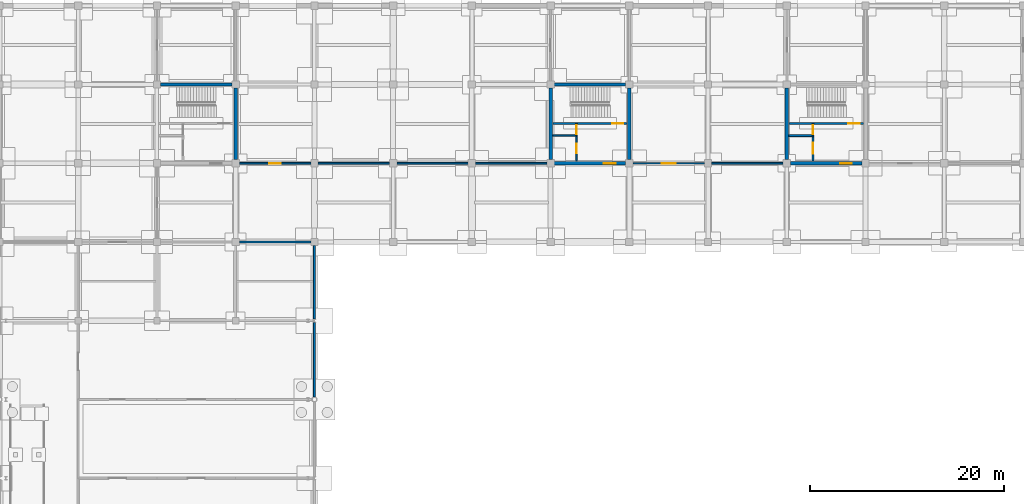
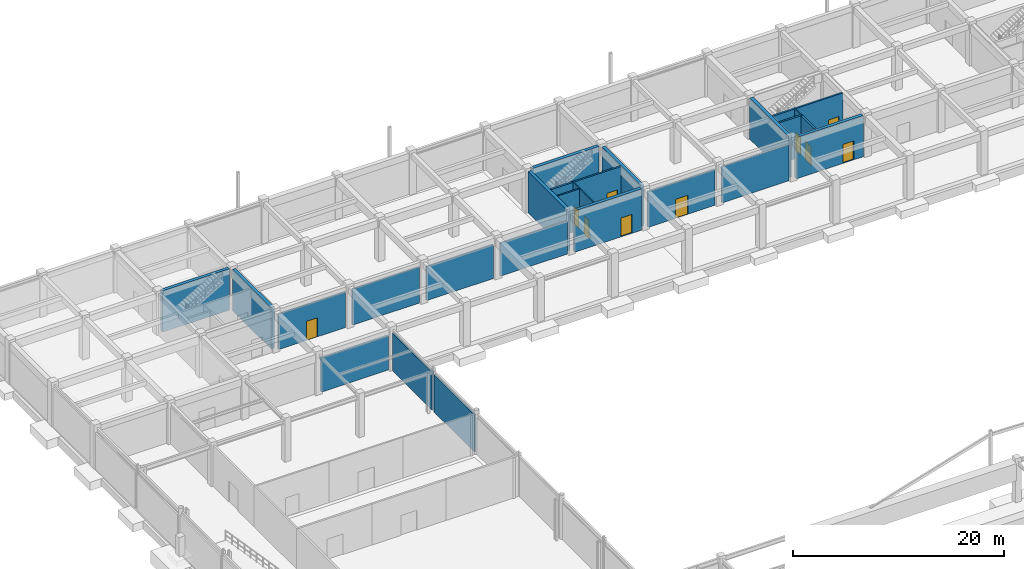
# One storey, part 49 of 67: 25 walls, 10 doors, 10 openings.
"""IFC4 building model written with IfcOpenShell, lengths in metres."""

import ifcopenshell
import ifcopenshell.guid

model = None  # the IFC model being written
_history = None  # IfcOwnerHistory: only IFC2X3 demands one
_inside = {}  # id of a spatial element -> (the spatial element, [elements in it])
_under = {}  # id of a project, library or spatial element -> (it, [spatial elements below it])
_declared = {}  # id of a project -> (the project, [libraries it declares])
_typed = {}  # id of a type object -> (the type object, [elements of that type])
_made_of = {}  # id of a material, layer set ... -> (it, [elements and type objects made of it])


def new_model(schema):
    """Start an empty IFC model of exactly this schema.

    Asked for "IFC4X3", IfcOpenShell would pick the latest addendum, in which some entities
    have other attributes; the version numbers below select the first issue.
    IFC2X3 requires an IfcOwnerHistory on every rooted entity: one is made here for all.
    """
    global model, _history
    if schema == "IFC4X3":
        model = ifcopenshell.file(schema_version=(4, 3, 0, 0))
    else:
        model = ifcopenshell.file(schema=schema)
    _inside.clear()
    _under.clear()
    _declared.clear()
    _typed.clear()
    _made_of.clear()
    _history = None
    if model.schema == "IFC2X3":
        org = make("IfcOrganization", Name="unknown")
        user = make(
            "IfcPersonAndOrganization",
            ThePerson=make("IfcPerson", FamilyName="unknown"),
            TheOrganization=org,
        )
        app = make(
            "IfcApplication",
            ApplicationDeveloper=org,
            Version="unknown",
            ApplicationFullName="unknown",
            ApplicationIdentifier="unknown",
        )
        _history = make(
            "IfcOwnerHistory",
            OwningUser=user,
            OwningApplication=app,
            ChangeAction="ADDED",
            CreationDate=0,
        )
    return model


def make(cls, **values):
    """One entity of the class cls with the attributes given. An attribute that is None is left unset."""
    return model.create_entity(
        cls, **{name: value for name, value in values.items() if value is not None}
    )


def rooted(cls, **values):
    """An entity with a GlobalId (a new one), such as an element, a storey or a relation."""
    return make(cls, GlobalId=ifcopenshell.guid.new(), OwnerHistory=_history, **values)


def si_unit(unit_type, name, prefix=None):
    """IfcSIUnit, for example si_unit("LENGTHUNIT", "METRE", prefix="MILLI")."""
    return make("IfcSIUnit", UnitType=unit_type, Prefix=prefix, Name=name)


def assignment(units):
    """IfcUnitAssignment: the units of a project."""
    return None if units is None else make("IfcUnitAssignment", Units=units)


def point(xyz):
    """IfcCartesianPoint."""
    return None if xyz is None else make("IfcCartesianPoint", Coordinates=xyz)


def direction(xyz):
    """IfcDirection."""
    return None if xyz is None else make("IfcDirection", DirectionRatios=xyz)


def frame(location, z_axis=None, x_axis=None):
    """IfcAxis2Placement3D, a coordinate frame: its origin and axes. An axis left out is left unset."""
    return make(
        "IfcAxis2Placement3D",
        Location=point(location),
        Axis=direction(z_axis),
        RefDirection=direction(x_axis),
    )


def frame_2d(location, x_axis=None):
    """IfcAxis2Placement2D, a coordinate frame in the plane: its origin and x axis."""
    return make(
        "IfcAxis2Placement2D", Location=point(location), RefDirection=direction(x_axis)
    )


def origin():
    """The frame at (0, 0, 0) with its axes left unset."""
    return frame((0.0, 0.0, 0.0))


def place(relative_to, where):
    """IfcLocalPlacement: puts the frame where relative to a parent placement (None: the world)."""
    return make(
        "IfcLocalPlacement", PlacementRelTo=relative_to, RelativePlacement=where
    )


def context(
    kind, dimensions, precision=None, world=None, true_north=None, identifier=None
):
    """IfcGeometricRepresentationContext, for example the 3D "Model" context."""
    return make(
        "IfcGeometricRepresentationContext",
        ContextIdentifier=identifier,
        ContextType=kind,
        CoordinateSpaceDimension=dimensions,
        Precision=precision,
        WorldCoordinateSystem=world,
        TrueNorth=true_north,
    )


def subcontext(parent, identifier, kind, view, scale=None):
    """IfcGeometricRepresentationSubContext, for example "Body" below "Model"."""
    return make(
        "IfcGeometricRepresentationSubContext",
        ContextIdentifier=identifier,
        ContextType=kind,
        ParentContext=parent,
        TargetScale=scale,
        TargetView=view,
    )


def project(units=None, contexts=None):
    """IfcProject with its units and contexts."""
    return rooted(
        "IfcProject",
        Name="project",
        RepresentationContexts=contexts,
        UnitsInContext=assignment(units),
    )


def spatial(cls, under=None, at=None, **own):
    """A site, building, storey or space (cls), placed at a placement, below another one or the project."""
    s = rooted(cls, ObjectPlacement=at, **own)
    if under is not None:
        _under.setdefault(under.id(), (under, []))[1].append(s)
    return s


def profile(cls, at=None, kind="AREA", **sizes):
    """A parametric profile (cls). Its sizes go by their IFC names, for example OverallWidth=200.0."""
    return make(cls, ProfileType=kind, Position=at, **sizes)


def rectangle(**sizes):
    """IfcRectangleProfileDef."""
    return profile("IfcRectangleProfileDef", **sizes)


def extrude(swept, where, along, depth):
    """IfcExtrudedAreaSolid: the profile swept, set in the frame where, extruded along a direction by depth."""
    return make(
        "IfcExtrudedAreaSolid",
        SweptArea=swept,
        Position=where,
        ExtrudedDirection=direction(along),
        Depth=depth,
    )


def shape(context_of_items, identifier, shape_type, items):
    """IfcShapeRepresentation: the items that make up one representation, for example the "Body"."""
    return make(
        "IfcShapeRepresentation",
        ContextOfItems=context_of_items,
        RepresentationIdentifier=identifier,
        RepresentationType=shape_type,
        Items=items,
    )


def material(Name=None, Category=None):
    """IfcMaterial."""
    return make("IfcMaterial", Name=Name, Category=Category)


def layer(
    of_material, thickness, ventilated=None, Name=None, Category=None, Priority=None
):
    """IfcMaterialLayer: one layer of a wall or slab, of a material (None: an air gap)."""
    return make(
        "IfcMaterialLayer",
        Material=of_material,
        LayerThickness=thickness,
        IsVentilated=ventilated,
        Name=Name,
        Category=Category,
        Priority=Priority,
    )


def layer_set(layers, Name=None):
    """IfcMaterialLayerSet."""
    return make("IfcMaterialLayerSet", MaterialLayers=layers, LayerSetName=Name)


def made_of(thing, what):
    """Note that an element or type object is made of a material, layer set ...; save() writes the relation."""
    if what is not None:
        _made_of.setdefault(what.id(), (what, []))[1].append(thing)
    return thing


def type_object(cls, material=None, **own):
    """A type object (cls), such as IfcWallType, which elements share."""
    return made_of(rooted(cls, **own), material)


def element(
    cls,
    number,
    at=None,
    inside=None,
    cuts=None,
    type_object=None,
    material=None,
    context=None,
    identifier="Body",
    shape_type=None,
    held_by="IfcProductDefinitionShape",
    body=None,
    shapes=None,
    **own,
):
    """One element of the class cls, such as IfcWall. Its Tag is "e" and its number.

    at: its placement. inside: the storey or other place that contains it. cuts: it is an
    opening in that element (IfcRelVoidsElement). A single representation is given by context,
    identifier, shape_type and body (its items); several are given by shapes. held_by: the class
    of the entity that holds the representations. save() writes the other relations.
    """
    e = rooted(cls, Tag="e%d" % number, ObjectPlacement=at, **own)
    if body is not None:
        shapes = [shape(context, identifier, shape_type, body)]
    if shapes is not None:
        e.Representation = make(held_by, Representations=shapes)
    if inside is not None:
        _inside.setdefault(inside.id(), (inside, []))[1].append(e)
    if cuts is not None:
        rooted(
            "IfcRelVoidsElement", RelatingBuildingElement=cuts, RelatedOpeningElement=e
        )
    if type_object is not None:
        _typed.setdefault(type_object.id(), (type_object, []))[1].append(e)
    return made_of(e, material)


def fill(opening, filler):
    """IfcRelFillsElement: the door or window that sits in an opening."""
    return rooted(
        "IfcRelFillsElement",
        RelatingOpeningElement=opening,
        RelatedBuildingElement=filler,
    )


def aggregate(whole, parts):
    """IfcRelAggregates: a whole, such as a stair, and the parts it consists of."""
    return rooted("IfcRelAggregates", RelatingObject=whole, RelatedObjects=parts)


def save(model, path):
    """Write the relations noted so far, then the file.

    IfcRelAggregates (storeys below a building ...), IfcRelContainedInSpatialStructure (elements
    in a storey), IfcRelDefinesByType, IfcRelAssociatesMaterial and IfcRelDeclares: one each for
    every whole, place, type object, material and project.
    """
    for whole, parts in _under.values():
        aggregate(whole, parts)
    for where, things in _inside.values():
        rooted(
            "IfcRelContainedInSpatialStructure",
            RelatedElements=things,
            RelatingStructure=where,
        )
    for kind, things in _typed.values():
        rooted("IfcRelDefinesByType", RelatedObjects=things, RelatingType=kind)
    for what, things in _made_of.values():
        rooted("IfcRelAssociatesMaterial", RelatedObjects=things, RelatingMaterial=what)
    for by, libraries in _declared.values():
        rooted("IfcRelDeclares", RelatingContext=by, RelatedDefinitions=libraries)
    model.write(path)


model = new_model("IFC4")

# Units and contexts
model_context = context("Model", 3, precision=1e-05, world=origin(), true_north=direction((0.0, 1.0)))
body_context = subcontext(model_context, "Body", "Model", "MODEL_VIEW")
ifc_project = project(units=[si_unit("LENGTHUNIT", "METRE"), si_unit("AREAUNIT", "SQUARE_METRE"), si_unit("VOLUMEUNIT", "CUBIC_METRE"), si_unit("PLANEANGLEUNIT", "RADIAN"), si_unit("MASSUNIT", "GRAM", prefix="KILO")], contexts=[model_context])

# Site, building, storey
site_placement = place(None, origin())
site = spatial("IfcSite", under=ifc_project, at=site_placement, CompositionType="ELEMENT")
building_placement = place(site_placement, origin())
building = spatial("IfcBuilding", under=site, at=building_placement, Name="Vaudrelin Polytechnic", CompositionType="ELEMENT")
storey_placement = place(building_placement, frame((0.0, 0.0, -5.10009765625)))
storey = spatial("IfcBuildingStorey", under=building, at=storey_placement, Name="B1", CompositionType="ELEMENT", Elevation=-5.10009765625)

# Walls
ifc_material_1 = material(Name="Concrete masonry unit 20 MPa shaft & corridor fire wall", Category="masonry")
ifc_layer_1 = layer(ifc_material_1, 0.199951171875)
ifc_layer_set_1 = layer_set([ifc_layer_1], Name="Concrete masonry unit 20 MPa shaft & corridor fire wall")
wall_type_1 = type_object("IfcWallType", Name="WAL-PW-FIRE120", PredefinedType="PARTITIONING", material=ifc_layer_set_1)
wall_1_placement = place(storey_placement, frame((24.673095703125, 97.199951171875, 0.0), z_axis=(0.0, 0.0, 1.0), x_axis=(1.0, 0.0, 0.0)))
element("IfcWall", 1, at=wall_1_placement, inside=storey, type_object=wall_type_1, Name="Partition B1-008 N", PredefinedType="PARTITIONING", context=body_context, shape_type="SweptSolid", body=[
    extrude(rectangle(XDim=7.35400390625, YDim=0.199951171875, at=frame_2d((3.677001953125, 0.0))), origin(), (0.0, 0.0, 1.0), 3.97216796875),
])
wall_2_placement = place(storey_placement, frame((32.39990234375, 81.251953125, 0.0), z_axis=(0.0, 0.0, 1.0), x_axis=(0.0, 1.0, 0.0)))
element("IfcWall", 2, at=wall_2_placement, inside=storey, type_object=wall_type_1, Name="Partition B1-008 E", PredefinedType="PARTITIONING", context=body_context, shape_type="SweptSolid", body=[
    extrude(rectangle(XDim=7.673583984375, YDim=0.199951171875, at=frame_2d((3.8369140625, 0.0))), origin(), (0.0, 0.0, 1.0), 4.31201171875),
])
wall_3_placement = place(storey_placement, frame((32.39990234375, 89.2744140625, 0.0), z_axis=(0.0, 0.0, 1.0), x_axis=(0.0, 1.0, 0.0)))
element("IfcWall", 3, at=wall_3_placement, inside=storey, type_object=wall_type_1, Name="Partition B1-008 E", PredefinedType="PARTITIONING", context=body_context, shape_type="SweptSolid", body=[
    extrude(rectangle(XDim=7.552490234375, YDim=0.199951171875, at=frame_2d((3.7763671875, 0.0))), origin(), (0.0, 0.0, 1.0), 4.364013671875),
])

# Wall, opening, door
wall_4_placement = place(storey_placement, frame((65.173095703125, 105.300048828125, 0.0), z_axis=(0.0, 0.0, 1.0), x_axis=(1.0, 0.0, 0.0)))
wall_4 = element("IfcWall", 4, at=wall_4_placement, inside=storey, type_object=wall_type_1, Name="Partition B1-013 S", PredefinedType="PARTITIONING", context=body_context, shape_type="SweptSolid", body=[
    extrude(rectangle(XDim=7.35400390625, YDim=0.199951171875, at=frame_2d((3.677001953125, 0.0))), origin(), (0.0, 0.0, 1.0), 4.132080078125),
])
opening_1_placement = place(wall_4_placement, frame((2.97705078125, 0.0, 0.0)))
opening_1 = element("IfcOpeningElement", 5, at=opening_1_placement, cuts=wall_4, Name="Opening D-B1-400", PredefinedType="OPENING", context=body_context, shape_type="SweptSolid", body=[
    extrude(rectangle(XDim=1.39990234375, YDim=2.199951171875, at=frame_2d((0.699951171875, 1.10009765625))), frame((0.0, 0.10986328125, 0.0), z_axis=(0.0, -1.0, 0.0), x_axis=(1.0, 0.0, 0.0)), (0.0, 0.0, 1.0), 0.219970703125),
])
ifc_material_2 = material(Name="Pressed galvanised steel acoustic leaf", Category="steel")
door_type_1 = type_object("IfcDoorType", Name="DOR-ID-PLT1", OperationType="NOTDEFINED", PredefinedType="DOOR", material=ifc_material_2)
door_1_placement = place(opening_1_placement, origin())
door_1 = element("IfcDoor", 6, at=door_1_placement, inside=storey, type_object=door_type_1, Name="District Heating and Chilled Water Plant door B1-013", OperationType="DOUBLE_SWING_LEFT", OverallHeight=2.199951171875, OverallWidth=1.39990234375, PredefinedType="DOOR", context=body_context, shape_type="SweptSolid", body=[
    extrude(rectangle(XDim=1.39990234375, YDim=2.199951171875, at=frame_2d((0.699951171875, 1.10009765625))), frame((0.0, 0.02490234375, 0.0), z_axis=(0.0, -1.0, 0.0), x_axis=(1.0, 0.0, 0.0)), (0.0, 0.0, 1.0), 0.050048828125),
])
fill(opening_1, door_1)

# Wall
wall_5_placement = place(storey_placement, frame((73.27294921875, 105.300048828125, 0.0), z_axis=(0.0, 0.0, 1.0), x_axis=(1.0, 0.0, 0.0)))
element("IfcWall", 7, at=wall_5_placement, inside=storey, type_object=wall_type_1, Name="Partition B1-013 S", PredefinedType="PARTITIONING", context=body_context, shape_type="SweptSolid", body=[
    extrude(rectangle(XDim=7.35400390625, YDim=0.199951171875, at=frame_2d((3.677001953125, 0.0))), origin(), (0.0, 0.0, 1.0), 4.18212890625),
])

# Wall, opening, door
ifc_material_3 = material(Name="Fire-rated steel-stud gypsum compartment wall", Category="steel")
ifc_layer_2 = layer(ifc_material_3, 0.14990234375)
ifc_layer_set_2 = layer_set([ifc_layer_2], Name="Fire-rated steel-stud gypsum compartment wall")
wall_type_2 = type_object("IfcWallType", Name="WAL-PW-FIRE60", PredefinedType="PARTITIONING", material=ifc_layer_set_2)
wall_6_placement = place(storey_placement, frame((83.679931640625, 108.14990234375, 0.0), z_axis=(0.0, 0.0, 1.0), x_axis=(0.0, 1.0, 0.0)))
wall_6 = element("IfcWall", 8, at=wall_6_placement, inside=storey, type_object=wall_type_2, Name="Core C2 riser enclosure wall B1", PredefinedType="PARTITIONING", context=body_context, shape_type="SweptSolid", body=[
    extrude(rectangle(XDim=1.260009765625, YDim=0.14990234375, at=frame_2d((0.6298828125, 0.0))), origin(), (0.0, 0.0, 1.0), 4.781982421875),
])
opening_2_placement = place(wall_6_placement, frame((0.139892578125, 0.0, 0.0)))
opening_2 = element("IfcOpeningElement", 9, at=opening_2_placement, cuts=wall_6, Name="Opening D-B1-025", PredefinedType="OPENING", context=body_context, shape_type="SweptSolid", body=[
    extrude(rectangle(XDim=0.89990234375, YDim=2.14990234375, at=frame_2d((0.449951171875, 1.074951171875))), frame((0.0, 0.0849609375, 0.0), z_axis=(0.0, -1.0, 0.0), x_axis=(1.0, 0.0, 0.0)), (0.0, 0.0, 1.0), 0.169921875),
])
door_type_2 = type_object("IfcDoorType", Name="DOR-ID-RSR1", OperationType="NOTDEFINED", PredefinedType="DOOR", material=ifc_material_2)
door_2_placement = place(opening_2_placement, origin())
door_2 = element("IfcDoor", 10, at=door_2_placement, inside=storey, type_object=door_type_2, Name="Core C2 riser access door B1", OperationType="SINGLE_SWING_RIGHT", OverallHeight=2.14990234375, OverallWidth=0.89990234375, PredefinedType="DOOR", context=body_context, shape_type="SweptSolid", body=[
    extrude(rectangle(XDim=0.89990234375, YDim=2.14990234375, at=frame_2d((0.449951171875, 1.074951171875))), frame((0.0, 0.02490234375, 0.0), z_axis=(0.0, -1.0, 0.0), x_axis=(1.0, 0.0, 0.0)), (0.0, 0.0, 1.0), 0.050048828125),
])
fill(opening_2, door_2)

wall_7_placement = place(storey_placement, frame((59.3798828125, 108.14990234375, 0.0), z_axis=(0.0, 0.0, 1.0), x_axis=(0.0, 1.0, 0.0)))
wall_7 = element("IfcWall", 11, at=wall_7_placement, inside=storey, type_object=wall_type_2, Name="Core C9 riser enclosure wall B1", PredefinedType="PARTITIONING", context=body_context, shape_type="SweptSolid", body=[
    extrude(rectangle(XDim=1.260009765625, YDim=0.14990234375, at=frame_2d((0.6298828125, 0.0))), origin(), (0.0, 0.0, 1.0), 4.781982421875),
])
opening_3_placement = place(wall_7_placement, frame((0.139892578125, 0.0, 0.0)))
opening_3 = element("IfcOpeningElement", 12, at=opening_3_placement, cuts=wall_7, Name="Opening D-B1-176", PredefinedType="OPENING", context=body_context, shape_type="SweptSolid", body=[
    extrude(rectangle(XDim=0.89990234375, YDim=2.14990234375, at=frame_2d((0.449951171875, 1.074951171875))), frame((0.0, 0.0849609375, 0.0), z_axis=(0.0, -1.0, 0.0), x_axis=(1.0, 0.0, 0.0)), (0.0, 0.0, 1.0), 0.169921875),
])
door_3_placement = place(opening_3_placement, origin())
door_3 = element("IfcDoor", 13, at=door_3_placement, inside=storey, type_object=door_type_2, Name="Core C9 riser access door B1", OperationType="SINGLE_SWING_RIGHT", OverallHeight=2.14990234375, OverallWidth=0.89990234375, PredefinedType="DOOR", context=body_context, shape_type="SweptSolid", body=[
    extrude(rectangle(XDim=0.89990234375, YDim=2.14990234375, at=frame_2d((0.449951171875, 1.074951171875))), frame((0.0, 0.02490234375, 0.0), z_axis=(0.0, -1.0, 0.0), x_axis=(1.0, 0.0, 0.0)), (0.0, 0.0, 1.0), 0.050048828125),
])
fill(opening_3, door_3)

# Wall
wall_8_placement = place(storey_placement, frame((56.919921875, 108.14990234375, 0.0), z_axis=(0.0, 0.0, 1.0), x_axis=(1.0, 0.0, 0.0)))
element("IfcWall", 14, at=wall_8_placement, inside=storey, type_object=wall_type_2, Name="Core C9 riser south fire wall B1", PredefinedType="PARTITIONING", context=body_context, shape_type="SweptSolid", body=[
    extrude(rectangle(XDim=2.530029296875, YDim=0.14990234375, at=frame_2d((1.26513671875, 0.0))), origin(), (0.0, 0.0, 1.0), 4.781982421875),
])

# Wall, opening, door
wall_9_placement = place(storey_placement, frame((59.3798828125, 105.550048828125, 0.0), z_axis=(0.0, 0.0, 1.0), x_axis=(0.0, 1.0, 0.0)))
wall_9 = element("IfcWall", 15, at=wall_9_placement, inside=storey, type_object=wall_type_2, Name="Core C9 custodial enclosure wall B1", PredefinedType="PARTITIONING", context=body_context, shape_type="SweptSolid", body=[
    extrude(rectangle(XDim=2.599853515625, YDim=0.14990234375, at=frame_2d((1.2998046875, 0.0))), origin(), (0.0, 0.0, 1.0), 4.781982421875),
])
opening_4_placement = place(wall_9_placement, frame((0.800048828125, 0.0, 0.0)))
opening_4 = element("IfcOpeningElement", 16, at=opening_4_placement, cuts=wall_9, Name="Opening D-B1-177", PredefinedType="OPENING", context=body_context, shape_type="SweptSolid", body=[
    extrude(rectangle(XDim=0.949951171875, YDim=2.14990234375, at=frame_2d((0.47509765625, 1.074951171875))), frame((0.0, 0.0849609375, 0.0), z_axis=(0.0, -1.0, 0.0), x_axis=(1.0, 0.0, 0.0)), (0.0, 0.0, 1.0), 0.169921875),
])
door_type_3 = type_object("IfcDoorType", Name="DOR-ID-STR1", OperationType="NOTDEFINED", PredefinedType="DOOR", material=ifc_material_2)
door_4_placement = place(opening_4_placement, origin())
door_4 = element("IfcDoor", 17, at=door_4_placement, inside=storey, type_object=door_type_3, Name="Core C9 custodial door B1", OperationType="SINGLE_SWING_RIGHT", OverallHeight=2.14990234375, OverallWidth=0.949951171875, PredefinedType="DOOR", context=body_context, shape_type="SweptSolid", body=[
    extrude(rectangle(XDim=0.949951171875, YDim=2.14990234375, at=frame_2d((0.47509765625, 1.074951171875))), frame((0.0, 0.02490234375, 0.0), z_axis=(0.0, -1.0, 0.0), x_axis=(1.0, 0.0, 0.0)), (0.0, 0.0, 1.0), 0.050048828125),
])
fill(opening_4, door_4)

ifc_material_4 = material(Name="Moisture- and chemical-resistant laboratory partition", Category="gypsum")
ifc_layer_3 = layer(ifc_material_4, 0.159912109375)
ifc_layer_set_3 = layer_set([ifc_layer_3], Name="Moisture- and chemical-resistant laboratory partition")
wall_type_3 = type_object("IfcWallType", Name="WAL-PW-LAB160", PredefinedType="PARTITIONING", material=ifc_layer_set_3)
wall_10_placement = place(storey_placement, frame((24.673095703125, 105.300048828125, 0.0), z_axis=(0.0, 0.0, 1.0), x_axis=(1.0, 0.0, 0.0)))
wall_10 = element("IfcWall", 18, at=wall_10_placement, inside=storey, type_object=wall_type_3, Name="Partition B1-011 S", PredefinedType="PARTITIONING", context=body_context, shape_type="SweptSolid", body=[
    extrude(rectangle(XDim=7.35400390625, YDim=0.159912109375, at=frame_2d((3.677001953125, 0.0))), origin(), (0.0, 0.0, 1.0), 4.132080078125),
])
opening_5_placement = place(wall_10_placement, frame((3.076904296875, 0.0, 0.0)))
opening_5 = element("IfcOpeningElement", 19, at=opening_5_placement, cuts=wall_10, Name="Opening D-B1-399", PredefinedType="OPENING", context=body_context, shape_type="SweptSolid", body=[
    extrude(rectangle(XDim=1.199951171875, YDim=2.199951171875, at=frame_2d((0.60009765625, 1.10009765625))), frame((0.0, 0.08984375, 0.0), z_axis=(0.0, -1.0, 0.0), x_axis=(1.0, 0.0, 0.0)), (0.0, 0.0, 1.0), 0.179931640625),
])
door_type_4 = type_object("IfcDoorType", Name="DOR-ID-LAB2", OperationType="NOTDEFINED", PredefinedType="DOOR", material=ifc_material_2)
door_5_placement = place(opening_5_placement, origin())
door_5 = element("IfcDoor", 20, at=door_5_placement, inside=storey, type_object=door_type_4, Name="Metrology and Vibration-Isolated Laboratory door B1-011", OperationType="SINGLE_SWING_LEFT", OverallHeight=2.199951171875, OverallWidth=1.199951171875, PredefinedType="DOOR", context=body_context, shape_type="SweptSolid", body=[
    extrude(rectangle(XDim=1.199951171875, YDim=2.199951171875, at=frame_2d((0.60009765625, 1.10009765625))), frame((0.0, 0.02490234375, 0.0), z_axis=(0.0, -1.0, 0.0), x_axis=(1.0, 0.0, 0.0)), (0.0, 0.0, 1.0), 0.050048828125),
])
fill(opening_5, door_5)

# Walls
wall_11_placement = place(storey_placement, frame((32.77294921875, 105.300048828125, 0.0), z_axis=(0.0, 0.0, 1.0), x_axis=(1.0, 0.0, 0.0)))
element("IfcWall", 21, at=wall_11_placement, inside=storey, type_object=wall_type_3, Name="Partition B1-011 S", PredefinedType="PARTITIONING", context=body_context, shape_type="SweptSolid", body=[
    extrude(rectangle(XDim=7.35400390625, YDim=0.159912109375, at=frame_2d((3.677001953125, 0.0))), origin(), (0.0, 0.0, 1.0), 4.18212890625),
])
wall_12_placement = place(storey_placement, frame((40.873046875, 105.300048828125, 0.0), z_axis=(0.0, 0.0, 1.0), x_axis=(1.0, 0.0, 0.0)))
element("IfcWall", 22, at=wall_12_placement, inside=storey, type_object=wall_type_3, Name="Partition B1-011 S", PredefinedType="PARTITIONING", context=body_context, shape_type="SweptSolid", body=[
    extrude(rectangle(XDim=7.35400390625, YDim=0.159912109375, at=frame_2d((3.677001953125, 0.0))), origin(), (0.0, 0.0, 1.0), 3.93212890625),
])
wall_13_placement = place(storey_placement, frame((48.972900390625, 105.300048828125, 0.0), z_axis=(0.0, 0.0, 1.0), x_axis=(1.0, 0.0, 0.0)))
element("IfcWall", 23, at=wall_13_placement, inside=storey, type_object=wall_type_3, Name="Partition B1-011 S", PredefinedType="PARTITIONING", context=body_context, shape_type="SweptSolid", body=[
    extrude(rectangle(XDim=7.35400390625, YDim=0.159912109375, at=frame_2d((3.677001953125, 0.0))), origin(), (0.0, 0.0, 1.0), 3.83203125),
])

# Wall, opening, door
ifc_material_5 = material(Name="Concrete 40 MPa", Category="concrete")
ifc_layer_4 = layer(ifc_material_5, 0.199951171875)
ifc_layer_set_4 = layer_set([ifc_layer_4], Name="Concrete 40 MPa")
wall_type_4 = type_object("IfcWallType", Name="WAL-SW-CORE200", PredefinedType="SHEAR", material=ifc_layer_set_4)
wall_14_placement = place(storey_placement, frame((81.219970703125, 109.409912109375, 0.0), z_axis=(0.0, 0.0, 1.0), x_axis=(1.0, 0.0, 0.0)))
wall_14 = element("IfcWall", 24, at=wall_14_placement, inside=storey, type_object=wall_type_4, Name="Core C2 stair enclosure wall B1", PredefinedType="SHEAR", context=body_context, shape_type="SweptSolid", body=[
    extrude(rectangle(XDim=7.659912109375, YDim=0.199951171875, at=frame_2d((3.830078125, 0.0))), origin(), (0.0, 0.0, 1.0), 4.781982421875),
])
opening_6_placement = place(wall_14_placement, frame((6.110107421875, 0.0, 0.0)))
opening_6 = element("IfcOpeningElement", 25, at=opening_6_placement, cuts=wall_14, Name="Opening D-B1-024", PredefinedType="OPENING", context=body_context, shape_type="SweptSolid", body=[
    extrude(rectangle(XDim=1.14990234375, YDim=2.199951171875, at=frame_2d((0.574951171875, 1.10009765625))), frame((0.0, 0.10986328125, 0.0), z_axis=(0.0, -1.0, 0.0), x_axis=(1.0, 0.0, 0.0)), (0.0, 0.0, 1.0), 0.219970703125),
])
door_type_5 = type_object("IfcDoorType", Name="DOR-ID-ST1", OperationType="NOTDEFINED", PredefinedType="DOOR", material=ifc_material_2)
door_6_placement = place(opening_6_placement, origin())
door_6 = element("IfcDoor", 26, at=door_6_placement, inside=storey, type_object=door_type_5, Name="Core C2 exit stair door B1", OperationType="SINGLE_SWING_LEFT", OverallHeight=2.199951171875, OverallWidth=1.14990234375, PredefinedType="DOOR", context=body_context, shape_type="SweptSolid", body=[
    extrude(rectangle(XDim=1.14990234375, YDim=2.199951171875, at=frame_2d((0.574951171875, 1.10009765625))), frame((0.0, 0.02490234375, 0.0), z_axis=(0.0, -1.0, 0.0), x_axis=(1.0, 0.0, 0.0)), (0.0, 0.0, 1.0), 0.050048828125),
])
fill(opening_6, door_6)

wall_15_placement = place(storey_placement, frame((83.679931640625, 105.550048828125, 0.0), z_axis=(0.0, 0.0, 1.0), x_axis=(0.0, 1.0, 0.0)))
wall_15 = element("IfcWall", 27, at=wall_15_placement, inside=storey, type_object=wall_type_4, Name="Lift LF-02 shaft front wall B1", PredefinedType="SHEAR", context=body_context, shape_type="SweptSolid", body=[
    extrude(rectangle(XDim=2.599853515625, YDim=0.199951171875, at=frame_2d((1.2998046875, 0.0))), origin(), (0.0, 0.0, 1.0), 4.781982421875),
])
opening_7_placement = place(wall_15_placement, frame((0.75, 0.0, 0.0)))
opening_7 = element("IfcOpeningElement", 28, at=opening_7_placement, cuts=wall_15, Name="Opening LD-LF-02-B1", PredefinedType="OPENING", context=body_context, shape_type="SweptSolid", body=[
    extrude(rectangle(XDim=1.10009765625, YDim=2.199951171875, at=frame_2d((0.550048828125, 1.10009765625))), frame((0.0, 0.10986328125, 0.0), z_axis=(0.0, -1.0, 0.0), x_axis=(1.0, 0.0, 0.0)), (0.0, 0.0, 1.0), 0.219970703125),
])
ifc_material_6 = material(Name="Brushed stainless steel AISI 304", Category="steel")
door_type_6 = type_object("IfcDoorType", Name="DOR-LD-PAX", OperationType="SLIDING_TO_LEFT", PredefinedType="DOOR", material=ifc_material_6)
door_7_placement = place(opening_7_placement, origin())
door_7 = element("IfcDoor", 29, at=door_7_placement, inside=storey, type_object=door_type_6, Name="Lift LF-02 landing door B1", OperationType="SLIDING_TO_LEFT", OverallHeight=2.199951171875, OverallWidth=1.10009765625, PredefinedType="DOOR", context=body_context, shape_type="SweptSolid", body=[
    extrude(rectangle(XDim=1.10009765625, YDim=2.199951171875, at=frame_2d((0.550048828125, 1.10009765625))), frame((0.0, 0.02490234375, 0.0), z_axis=(0.0, -1.0, 0.0), x_axis=(1.0, 0.0, 0.0)), (0.0, 0.0, 1.0), 0.050048828125),
])
fill(opening_7, door_7)

# Wall
wall_16_placement = place(storey_placement, frame((81.219970703125, 108.14990234375, 0.0), z_axis=(0.0, 0.0, 1.0), x_axis=(1.0, 0.0, 0.0)))
element("IfcWall", 30, at=wall_16_placement, inside=storey, type_object=wall_type_4, Name="Lift LF-02 shaft north wall B1", PredefinedType="SHEAR", context=body_context, shape_type="SweptSolid", body=[
    extrude(rectangle(XDim=2.56005859375, YDim=0.199951171875, at=frame_2d((1.280029296875, 0.0))), origin(), (0.0, 0.0, 1.0), 4.781982421875),
])

# Wall, opening, door
wall_17_placement = place(storey_placement, frame((56.919921875, 109.409912109375, 0.0), z_axis=(0.0, 0.0, 1.0), x_axis=(1.0, 0.0, 0.0)))
wall_17 = element("IfcWall", 31, at=wall_17_placement, inside=storey, type_object=wall_type_4, Name="Core C9 stair enclosure wall B1", PredefinedType="SHEAR", context=body_context, shape_type="SweptSolid", body=[
    extrude(rectangle(XDim=7.66015625, YDim=0.199951171875, at=frame_2d((3.830078125, 0.0))), origin(), (0.0, 0.0, 1.0), 4.781982421875),
])
opening_8_placement = place(wall_17_placement, frame((6.110107421875, 0.0, 0.0)))
opening_8 = element("IfcOpeningElement", 32, at=opening_8_placement, cuts=wall_17, Name="Opening D-B1-175", PredefinedType="OPENING", context=body_context, shape_type="SweptSolid", body=[
    extrude(rectangle(XDim=1.14990234375, YDim=2.199951171875, at=frame_2d((0.574951171875, 1.10009765625))), frame((0.0, 0.10986328125, 0.0), z_axis=(0.0, -1.0, 0.0), x_axis=(1.0, 0.0, 0.0)), (0.0, 0.0, 1.0), 0.219970703125),
])
door_8_placement = place(opening_8_placement, origin())
door_8 = element("IfcDoor", 33, at=door_8_placement, inside=storey, type_object=door_type_5, Name="Core C9 exit stair door B1", OperationType="SINGLE_SWING_LEFT", OverallHeight=2.199951171875, OverallWidth=1.14990234375, PredefinedType="DOOR", context=body_context, shape_type="SweptSolid", body=[
    extrude(rectangle(XDim=1.14990234375, YDim=2.199951171875, at=frame_2d((0.574951171875, 1.10009765625))), frame((0.0, 0.02490234375, 0.0), z_axis=(0.0, -1.0, 0.0), x_axis=(1.0, 0.0, 0.0)), (0.0, 0.0, 1.0), 0.050048828125),
])
fill(opening_8, door_8)

# Walls
ifc_material_7 = material(Name="Concrete 50 MPa", Category="concrete")
ifc_layer_5 = layer(ifc_material_7, 0.35009765625)
ifc_layer_set_5 = layer_set([ifc_layer_5], Name="Concrete 50 MPa")
wall_type_5 = type_object("IfcWallType", Name="WAL-SW-CORE350", PredefinedType="SHEAR", material=ifc_layer_set_5)
for number, where, z_axis, x_axis, name in (
    (34, (16.572998046875, 113.39990234375, 0.0), (0.0, 0.0, 1.0), (1.0, 0.0, 0.0), "Core C1 N shear wall B1"),
    (35, (24.300048828125, 105.673095703125, 0.0), (0.0, 0.0, 1.0), (0.0, 1.0, 0.0), "Core C1 E shear wall B1"),
    (36, (81.0, 105.673095703125, 0.0), (0.0, 0.0, 1.0), (0.0, 1.0, 0.0), "Core C2 W shear wall B1"),
):
    element("IfcWall", number, at=place(storey_placement, frame(where, z_axis=z_axis, x_axis=x_axis)), inside=storey, type_object=wall_type_5, Name=name, PredefinedType="SHEAR", context=body_context, shape_type="SweptSolid", body=[
        extrude(rectangle(XDim=7.35400390625, YDim=0.35009765625, at=frame_2d((3.677001953125, 0.0))), origin(), (0.0, 0.0, 1.0), 4.781982421875),
    ])

# Wall, opening, door
wall_18_placement = place(storey_placement, frame((81.373046875, 105.300048828125, 0.0), z_axis=(0.0, 0.0, 1.0), x_axis=(1.0, 0.0, 0.0)))
wall_18 = element("IfcWall", 37, at=wall_18_placement, inside=storey, type_object=wall_type_5, Name="Core C2 S shear wall B1", PredefinedType="SHEAR", context=body_context, shape_type="SweptSolid", body=[
    extrude(rectangle(XDim=7.35400390625, YDim=0.35009765625, at=frame_2d((3.677001953125, 0.0))), origin(), (0.0, 0.0, 1.0), 4.781982421875),
])
opening_9_placement = place(wall_18_placement, frame((5.10400390625, 0.0, 0.0)))
opening_9 = element("IfcOpeningElement", 38, at=opening_9_placement, cuts=wall_18, Name="Opening D-B1-023", PredefinedType="OPENING", context=body_context, shape_type="SweptSolid", body=[
    extrude(rectangle(XDim=1.199951171875, YDim=2.199951171875, at=frame_2d((0.60009765625, 1.10009765625))), frame((0.0, 0.18505859375, 0.0), z_axis=(0.0, -1.0, 0.0), x_axis=(1.0, 0.0, 0.0)), (0.0, 0.0, 1.0), 0.3701171875),
])
door_type_7 = type_object("IfcDoorType", Name="DOR-ID-LB1", OperationType="NOTDEFINED", PredefinedType="DOOR", material=ifc_material_2)
door_9_placement = place(opening_9_placement, origin())
door_9 = element("IfcDoor", 39, at=door_9_placement, inside=storey, type_object=door_type_7, Name="Core C2 lobby fire door B1", OperationType="SINGLE_SWING_LEFT", OverallHeight=2.199951171875, OverallWidth=1.199951171875, PredefinedType="DOOR", context=body_context, shape_type="SweptSolid", body=[
    extrude(rectangle(XDim=1.199951171875, YDim=2.199951171875, at=frame_2d((0.60009765625, 1.10009765625))), frame((0.0, 0.02490234375, 0.0), z_axis=(0.0, -1.0, 0.0), x_axis=(1.0, 0.0, 0.0)), (0.0, 0.0, 1.0), 0.050048828125),
])
fill(opening_9, door_9)

# Walls
for number, where, z_axis, x_axis, name in (
    (40, (57.072998046875, 113.39990234375, 0.0), (0.0, 0.0, 1.0), (1.0, 0.0, 0.0), "Core C9 N shear wall B1"),
    (41, (56.699951171875, 105.673095703125, 0.0), (0.0, 0.0, 1.0), (0.0, 1.0, 0.0), "Core C9 W shear wall B1"),
    (42, (64.800048828125, 105.673095703125, 0.0), (0.0, 0.0, 1.0), (0.0, 1.0, 0.0), "Core C9 E shear wall B1"),
):
    element("IfcWall", number, at=place(storey_placement, frame(where, z_axis=z_axis, x_axis=x_axis)), inside=storey, type_object=wall_type_5, Name=name, PredefinedType="SHEAR", context=body_context, shape_type="SweptSolid", body=[
        extrude(rectangle(XDim=7.35400390625, YDim=0.35009765625, at=frame_2d((3.677001953125, 0.0))), origin(), (0.0, 0.0, 1.0), 4.781982421875),
    ])

# Wall, opening, door
wall_19_placement = place(storey_placement, frame((57.072998046875, 105.300048828125, 0.0), z_axis=(0.0, 0.0, 1.0), x_axis=(1.0, 0.0, 0.0)))
wall_19 = element("IfcWall", 43, at=wall_19_placement, inside=storey, type_object=wall_type_5, Name="Core C9 S shear wall B1", PredefinedType="SHEAR", context=body_context, shape_type="SweptSolid", body=[
    extrude(rectangle(XDim=7.35400390625, YDim=0.35009765625, at=frame_2d((3.677001953125, 0.0))), origin(), (0.0, 0.0, 1.0), 4.781982421875),
])
opening_10_placement = place(wall_19_placement, frame((5.10400390625, 0.0, 0.0)))
opening_10 = element("IfcOpeningElement", 44, at=opening_10_placement, cuts=wall_19, Name="Opening D-B1-174", PredefinedType="OPENING", context=body_context, shape_type="SweptSolid", body=[
    extrude(rectangle(XDim=1.199951171875, YDim=2.199951171875, at=frame_2d((0.60009765625, 1.10009765625))), frame((0.0, 0.18505859375, 0.0), z_axis=(0.0, -1.0, 0.0), x_axis=(1.0, 0.0, 0.0)), (0.0, 0.0, 1.0), 0.3701171875),
])
door_10_placement = place(opening_10_placement, origin())
door_10 = element("IfcDoor", 45, at=door_10_placement, inside=storey, type_object=door_type_7, Name="Core C9 lobby fire door B1", OperationType="SINGLE_SWING_RIGHT", OverallHeight=2.199951171875, OverallWidth=1.199951171875, PredefinedType="DOOR", context=body_context, shape_type="SweptSolid", body=[
    extrude(rectangle(XDim=1.199951171875, YDim=2.199951171875, at=frame_2d((0.60009765625, 1.10009765625))), frame((0.0, 0.02490234375, 0.0), z_axis=(0.0, -1.0, 0.0), x_axis=(1.0, 0.0, 0.0)), (0.0, 0.0, 1.0), 0.050048828125),
])
fill(opening_10, door_10)

save(model, "model.ifc")
